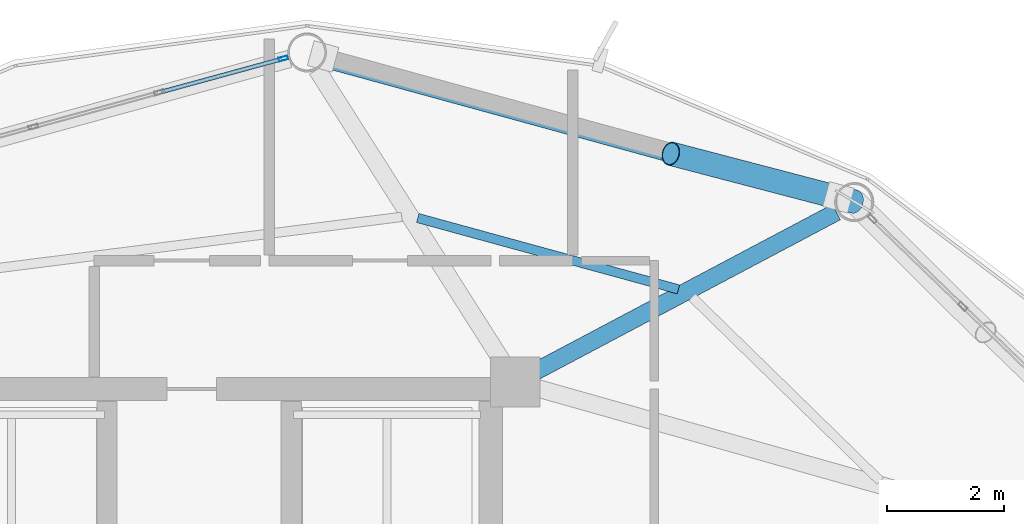
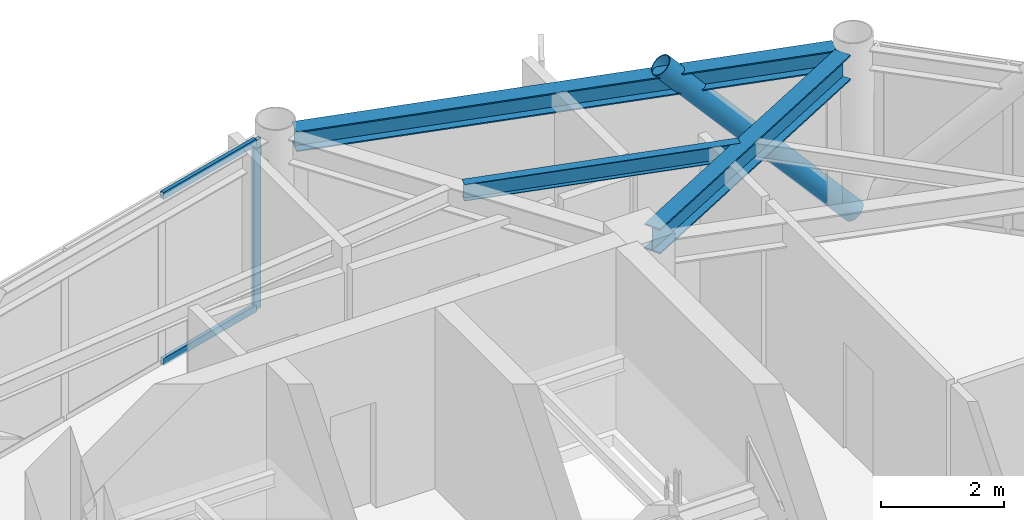
# One storey, part 20 of 28: 4 members, 3 beams, 1 element without a shape of its own.
"""IFC4 building model written with IfcOpenShell, lengths in metres."""

import ifcopenshell
import ifcopenshell.guid

model = None  # the IFC model being written
_history = None  # IfcOwnerHistory: only IFC2X3 demands one
_inside = {}  # id of a spatial element -> (the spatial element, [elements in it])
_under = {}  # id of a project, library or spatial element -> (it, [spatial elements below it])
_declared = {}  # id of a project -> (the project, [libraries it declares])
_typed = {}  # id of a type object -> (the type object, [elements of that type])
_made_of = {}  # id of a material, layer set ... -> (it, [elements and type objects made of it])


def new_model(schema):
    """Start an empty IFC model of exactly this schema.

    Asked for "IFC4X3", IfcOpenShell would pick the latest addendum, in which some entities
    have other attributes; the version numbers below select the first issue.
    IFC2X3 requires an IfcOwnerHistory on every rooted entity: one is made here for all.
    """
    global model, _history
    if schema == "IFC4X3":
        model = ifcopenshell.file(schema_version=(4, 3, 0, 0))
    else:
        model = ifcopenshell.file(schema=schema)
    _inside.clear()
    _under.clear()
    _declared.clear()
    _typed.clear()
    _made_of.clear()
    _history = None
    if model.schema == "IFC2X3":
        org = make("IfcOrganization", Name="unknown")
        user = make(
            "IfcPersonAndOrganization",
            ThePerson=make("IfcPerson", FamilyName="unknown"),
            TheOrganization=org,
        )
        app = make(
            "IfcApplication",
            ApplicationDeveloper=org,
            Version="unknown",
            ApplicationFullName="unknown",
            ApplicationIdentifier="unknown",
        )
        _history = make(
            "IfcOwnerHistory",
            OwningUser=user,
            OwningApplication=app,
            ChangeAction="ADDED",
            CreationDate=0,
        )
    return model


def make(cls, **values):
    """One entity of the class cls with the attributes given. An attribute that is None is left unset."""
    return model.create_entity(
        cls, **{name: value for name, value in values.items() if value is not None}
    )


def rooted(cls, **values):
    """An entity with a GlobalId (a new one), such as an element, a storey or a relation."""
    return make(cls, GlobalId=ifcopenshell.guid.new(), OwnerHistory=_history, **values)


def si_unit(unit_type, name, prefix=None):
    """IfcSIUnit, for example si_unit("LENGTHUNIT", "METRE", prefix="MILLI")."""
    return make("IfcSIUnit", UnitType=unit_type, Prefix=prefix, Name=name)


def assignment(units):
    """IfcUnitAssignment: the units of a project."""
    return None if units is None else make("IfcUnitAssignment", Units=units)


def point(xyz):
    """IfcCartesianPoint."""
    return None if xyz is None else make("IfcCartesianPoint", Coordinates=xyz)


def direction(xyz):
    """IfcDirection."""
    return None if xyz is None else make("IfcDirection", DirectionRatios=xyz)


def frame(location, z_axis=None, x_axis=None):
    """IfcAxis2Placement3D, a coordinate frame: its origin and axes. An axis left out is left unset."""
    return make(
        "IfcAxis2Placement3D",
        Location=point(location),
        Axis=direction(z_axis),
        RefDirection=direction(x_axis),
    )


def frame_2d(location, x_axis=None):
    """IfcAxis2Placement2D, a coordinate frame in the plane: its origin and x axis."""
    return make(
        "IfcAxis2Placement2D", Location=point(location), RefDirection=direction(x_axis)
    )


def origin():
    """The frame at (0, 0, 0) with its axes left unset."""
    return frame((0.0, 0.0, 0.0))


def origin_2d():
    """The frame at (0, 0) in the plane with its x axis left unset."""
    return frame_2d((0.0, 0.0))


def place(relative_to, where):
    """IfcLocalPlacement: puts the frame where relative to a parent placement (None: the world)."""
    return make(
        "IfcLocalPlacement", PlacementRelTo=relative_to, RelativePlacement=where
    )


def context(
    kind, dimensions, precision=None, world=None, true_north=None, identifier=None
):
    """IfcGeometricRepresentationContext, for example the 3D "Model" context."""
    return make(
        "IfcGeometricRepresentationContext",
        ContextIdentifier=identifier,
        ContextType=kind,
        CoordinateSpaceDimension=dimensions,
        Precision=precision,
        WorldCoordinateSystem=world,
        TrueNorth=true_north,
    )


def subcontext(parent, identifier, kind, view, scale=None):
    """IfcGeometricRepresentationSubContext, for example "Body" below "Model"."""
    return make(
        "IfcGeometricRepresentationSubContext",
        ContextIdentifier=identifier,
        ContextType=kind,
        ParentContext=parent,
        TargetScale=scale,
        TargetView=view,
    )


def project(units=None, contexts=None):
    """IfcProject with its units and contexts."""
    return rooted(
        "IfcProject",
        Name="project",
        RepresentationContexts=contexts,
        UnitsInContext=assignment(units),
    )


def spatial(cls, under=None, at=None, **own):
    """A site, building, storey or space (cls), placed at a placement, below another one or the project."""
    s = rooted(cls, ObjectPlacement=at, **own)
    if under is not None:
        _under.setdefault(under.id(), (under, []))[1].append(s)
    return s


def profile(cls, at=None, kind="AREA", **sizes):
    """A parametric profile (cls). Its sizes go by their IFC names, for example OverallWidth=200.0."""
    return make(cls, ProfileType=kind, Position=at, **sizes)


def hollow_rectangle(**sizes):
    """IfcRectangleHollowProfileDef."""
    return profile("IfcRectangleHollowProfileDef", **sizes)


def hollow_circle(**sizes):
    """IfcCircleHollowProfileDef."""
    return profile("IfcCircleHollowProfileDef", **sizes)


def i_section(**sizes):
    """IfcIShapeProfileDef."""
    return profile("IfcIShapeProfileDef", **sizes)


def extrude(swept, where, along, depth):
    """IfcExtrudedAreaSolid: the profile swept, set in the frame where, extruded along a direction by depth."""
    return make(
        "IfcExtrudedAreaSolid",
        SweptArea=swept,
        Position=where,
        ExtrudedDirection=direction(along),
        Depth=depth,
    )


def shape(context_of_items, identifier, shape_type, items):
    """IfcShapeRepresentation: the items that make up one representation, for example the "Body"."""
    return make(
        "IfcShapeRepresentation",
        ContextOfItems=context_of_items,
        RepresentationIdentifier=identifier,
        RepresentationType=shape_type,
        Items=items,
    )


def material(Name=None, Category=None):
    """IfcMaterial."""
    return make("IfcMaterial", Name=Name, Category=Category)


def layer(
    of_material, thickness, ventilated=None, Name=None, Category=None, Priority=None
):
    """IfcMaterialLayer: one layer of a wall or slab, of a material (None: an air gap)."""
    return make(
        "IfcMaterialLayer",
        Material=of_material,
        LayerThickness=thickness,
        IsVentilated=ventilated,
        Name=Name,
        Category=Category,
        Priority=Priority,
    )


def layer_set(layers, Name=None):
    """IfcMaterialLayerSet."""
    return make("IfcMaterialLayerSet", MaterialLayers=layers, LayerSetName=Name)


def material_profile(
    of_material, cross_section, Name=None, Category=None, Priority=None
):
    """IfcMaterialProfile: a cross section and its material."""
    return make(
        "IfcMaterialProfile",
        Name=Name,
        Material=of_material,
        Profile=cross_section,
        Priority=Priority,
        Category=Category,
    )


def profile_set(profiles, Name=None, composite=None):
    """IfcMaterialProfileSet."""
    return make(
        "IfcMaterialProfileSet",
        Name=Name,
        MaterialProfiles=profiles,
        CompositeProfile=composite,
    )


def made_of(thing, what):
    """Note that an element or type object is made of a material, layer set ...; save() writes the relation."""
    if what is not None:
        _made_of.setdefault(what.id(), (what, []))[1].append(thing)
    return thing


def type_object(cls, material=None, **own):
    """A type object (cls), such as IfcWallType, which elements share."""
    return made_of(rooted(cls, **own), material)


def element(
    cls,
    number,
    at=None,
    inside=None,
    cuts=None,
    type_object=None,
    material=None,
    context=None,
    identifier="Body",
    shape_type=None,
    held_by="IfcProductDefinitionShape",
    body=None,
    shapes=None,
    **own,
):
    """One element of the class cls, such as IfcWall. Its Tag is "e" and its number.

    at: its placement. inside: the storey or other place that contains it. cuts: it is an
    opening in that element (IfcRelVoidsElement). A single representation is given by context,
    identifier, shape_type and body (its items); several are given by shapes. held_by: the class
    of the entity that holds the representations. save() writes the other relations.
    """
    e = rooted(cls, Tag="e%d" % number, ObjectPlacement=at, **own)
    if body is not None:
        shapes = [shape(context, identifier, shape_type, body)]
    if shapes is not None:
        e.Representation = make(held_by, Representations=shapes)
    if inside is not None:
        _inside.setdefault(inside.id(), (inside, []))[1].append(e)
    if cuts is not None:
        rooted(
            "IfcRelVoidsElement", RelatingBuildingElement=cuts, RelatedOpeningElement=e
        )
    if type_object is not None:
        _typed.setdefault(type_object.id(), (type_object, []))[1].append(e)
    return made_of(e, material)


def aggregate(whole, parts):
    """IfcRelAggregates: a whole, such as a stair, and the parts it consists of."""
    return rooted("IfcRelAggregates", RelatingObject=whole, RelatedObjects=parts)


def save(model, path):
    """Write the relations noted so far, then the file.

    IfcRelAggregates (storeys below a building ...), IfcRelContainedInSpatialStructure (elements
    in a storey), IfcRelDefinesByType, IfcRelAssociatesMaterial and IfcRelDeclares: one each for
    every whole, place, type object, material and project.
    """
    for whole, parts in _under.values():
        aggregate(whole, parts)
    for where, things in _inside.values():
        rooted(
            "IfcRelContainedInSpatialStructure",
            RelatedElements=things,
            RelatingStructure=where,
        )
    for kind, things in _typed.values():
        rooted("IfcRelDefinesByType", RelatedObjects=things, RelatingType=kind)
    for what, things in _made_of.values():
        rooted("IfcRelAssociatesMaterial", RelatedObjects=things, RelatingMaterial=what)
    for by, libraries in _declared.values():
        rooted("IfcRelDeclares", RelatingContext=by, RelatedDefinitions=libraries)
    model.write(path)


model = new_model("IFC4")

# Units and contexts
model_context = context("Model", 3, precision=1e-05, world=origin(), true_north=direction((0.0, 1.0)))
body_context = subcontext(model_context, "Body", "Model", "MODEL_VIEW")
ifc_project = project(units=[si_unit("LENGTHUNIT", "METRE"), si_unit("AREAUNIT", "SQUARE_METRE"), si_unit("VOLUMEUNIT", "CUBIC_METRE"), si_unit("PLANEANGLEUNIT", "RADIAN"), si_unit("MASSUNIT", "GRAM", prefix="KILO")], contexts=[model_context])

# Site, building, storey
site_placement = place(None, origin())
site = spatial("IfcSite", under=ifc_project, at=site_placement, CompositionType="ELEMENT")
building_placement = place(site_placement, origin())
building = spatial("IfcBuilding", under=site, at=building_placement, Name="Varnakorn Sky Granary", CompositionType="ELEMENT")
storey_placement = place(building_placement, frame((0.0, 0.0, 225.60009765625)))
storey = spatial("IfcBuildingStorey", under=building, at=storey_placement, Name="L57", CompositionType="ELEMENT", Elevation=225.60009765625)

# Beams
ifc_material_1 = material(Name="Steel S355JR", Category="steel")
ifc_material_profile_1 = material_profile(ifc_material_1, i_section(OverallWidth=0.300048828125, OverallDepth=0.5, WebThickness=0.014404296875, FlangeThickness=0.028076171875, at=origin_2d()), Name="HE 500 B")
ifc_profile_set_1 = profile_set([ifc_material_profile_1], Name="Steel S355JR")
beam_type_1 = type_object("IfcBeamType", Name="BM-RAD-Z4", PredefinedType="BEAM", material=ifc_profile_set_1)
beam_1_placement = place(storey_placement, frame((8.77783203125, 12.8095703125, 3.10986328125), z_axis=(0.883703213726, 0.46804767925, 0.0), x_axis=(-0.46804767925, 0.883703213726, 0.0)))
element("IfcBeam", 1, at=beam_1_placement, inside=storey, type_object=beam_type_1, Name="Radial Floor Girder RG03 L57", PredefinedType="BEAM", context=body_context, shape_type="SweptSolid", body=[
    extrude(i_section(OverallWidth=0.300048828125, OverallDepth=0.5, WebThickness=0.014404296875, FlangeThickness=0.028076171875, at=origin_2d()), origin(), (0.0, 0.0, 1.0), 5.820068359375),
])
ifc_material_profile_2 = material_profile(ifc_material_1, i_section(OverallWidth=0.159912109375, OverallDepth=0.330078125, WebThickness=0.007568359375, FlangeThickness=0.011474609375, at=origin_2d()), Name="IPE 330")
ifc_profile_set_2 = profile_set([ifc_material_profile_2], Name="Steel S355JR")
beam_type_2 = type_object("IfcBeamType", Name="BM-SEC-Z4", PredefinedType="BEAM", material=ifc_profile_set_2)
beam_2_placement = place(storey_placement, frame((11.214599609375, 14.20849609375, 3.19482421875), z_axis=(-0.964509224434, 0.264049154482, 0.0), x_axis=(-0.264049154482, -0.964509224434, 0.0)))
element("IfcBeam", 2, at=beam_2_placement, inside=storey, type_object=beam_type_2, Name="Secondary Floor Chord Beam MSB03 L57", PredefinedType="BEAM", context=body_context, shape_type="SweptSolid", body=[
    extrude(i_section(OverallWidth=0.159912109375, OverallDepth=0.330078125, WebThickness=0.007568359375, FlangeThickness=0.011474609375, at=origin_2d()), origin(), (0.0, 0.0, 1.0), 4.63330078125),
])
ifc_material_profile_3 = material_profile(ifc_material_1, i_section(OverallWidth=0.300048828125, OverallDepth=0.39990234375, WebThickness=0.013427734375, FlangeThickness=0.02392578125, at=origin_2d()), Name="HE 400 B")
ifc_profile_set_3 = profile_set([ifc_material_profile_3], Name="Steel S355JR")
beam_type_3 = type_object("IfcBeamType", Name="BM-SPD-Z4", PredefinedType="SPANDREL", material=ifc_profile_set_3)
beam_3_placement = place(storey_placement, frame((13.895751953125, 15.764404296875, 3.159912109375), z_axis=(-0.964479816997, 0.264156549426, 0.0), x_axis=(-0.264156549426, -0.964479816997, 0.0)))
element("IfcBeam", 3, at=beam_3_placement, inside=storey, type_object=beam_type_3, Name="Perimeter Spandrel Ring Beam RB03 L57", PredefinedType="SPANDREL", context=body_context, shape_type="SweptSolid", body=[
    extrude(i_section(OverallWidth=0.300048828125, OverallDepth=0.39990234375, WebThickness=0.013427734375, FlangeThickness=0.02392578125, at=origin_2d()), origin(), (0.0, 0.0, 1.0), 9.06396484375),
])

# Curtain wall, members
ifc_material_2 = material(Name="Anodised Bronze Aluminium Alloy 6063-T6", Category="aluminium")
ifc_layer = layer(ifc_material_2, 0.169921875, Name="Anodised Bronze Aluminium Alloy 6063-T6")
ifc_layer_set = layer_set([ifc_layer], Name="Anodised Bronze Aluminium Alloy 6063-T6")
curtain_wall_type = type_object("IfcCurtainWallType", Name="CW-LAB-1", PredefinedType="USERDEFINED", material=ifc_layer_set)
curtain_wall_placement = place(storey_placement, origin())
curtain_wall = element("IfcCurtainWall", 4, at=curtain_wall_placement, inside=storey, type_object=curtain_wall_type, Name="Unitised Curtain Wall CW5 CW-L57-B04", ObjectType="CURTAIN WALL", PredefinedType="USERDEFINED")
ifc_material_profile_4 = material_profile(ifc_material_2, hollow_rectangle(XDim=0.06494140625, YDim=0.159912109375, WallThickness=0.00341796875, at=origin_2d()), Name="ALU MULL 65x160")
ifc_profile_set_4 = profile_set([ifc_material_profile_4], Name="Anodised Bronze Aluminium Alloy 6063-T6")
member_type_1 = type_object("IfcMemberType", Name="CW-LAB-1-MULL", PredefinedType="MULLION", material=ifc_profile_set_4)
member_1_placement = place(storey_placement, frame((4.4423828125, 18.16455078125, 0.0), z_axis=(0.0, 0.0, 1.0), x_axis=(-0.263727295767, 0.964597280458, 0.0)))
member_1 = element("IfcMember", 5, at=member_1_placement, type_object=member_type_1, Name="CW5 mullion 5", PredefinedType="MULLION", context=body_context, shape_type="SweptSolid", body=[
    extrude(hollow_rectangle(XDim=0.06494140625, YDim=0.159912109375, WallThickness=0.00341796875, at=origin_2d()), origin(), (0.0, 0.0, 1.0), 3.35986328125),
])
ifc_material_profile_5 = material_profile(ifc_material_2, hollow_rectangle(XDim=0.070068359375, YDim=0.139892578125, WallThickness=0.00341796875, at=origin_2d()), Name="ALU TRAN 70x140")
ifc_profile_set_5 = profile_set([ifc_material_profile_5], Name="Anodised Bronze Aluminium Alloy 6063-T6")
member_type_2 = type_object("IfcMemberType", Name="CW-LAB-1-TRAN", PredefinedType="USERDEFINED", material=ifc_profile_set_5)
member_2_placement = place(storey_placement, frame((2.347412109375, 17.591796875, 0.034912109375), z_axis=(0.964600365591, 0.263716011461, 0.0), x_axis=(-0.263716011461, 0.964600365591, 0.0)))
member_2 = element("IfcMember", 6, at=member_2_placement, type_object=member_type_2, Name="CW5 transom 4.1", ObjectType="TRANSOM", PredefinedType="USERDEFINED", context=body_context, shape_type="SweptSolid", body=[
    extrude(hollow_rectangle(XDim=0.070068359375, YDim=0.139892578125, WallThickness=0.00341796875, at=origin_2d()), origin(), (0.0, 0.0, 1.0), 2.139404296875),
])
member_3_placement = place(storey_placement, frame((2.347412109375, 17.591796875, 3.324951171875), z_axis=(0.964600365591, 0.263716011461, 0.0), x_axis=(-0.263716011461, 0.964600365591, 0.0)))
member_3 = element("IfcMember", 7, at=member_3_placement, type_object=member_type_2, Name="CW5 transom 4.2", ObjectType="TRANSOM", PredefinedType="USERDEFINED", context=body_context, shape_type="SweptSolid", body=[
    extrude(hollow_rectangle(XDim=0.070068359375, YDim=0.139892578125, WallThickness=0.00341796875, at=origin_2d()), origin(), (0.0, 0.0, 1.0), 2.139404296875),
])
aggregate(curtain_wall, [member_1, member_2, member_3])

# Member
ifc_material_3 = material(Name="Steel S460M", Category="steel")
ifc_material_profile_6 = material_profile(ifc_material_3, hollow_circle(Radius=0.203125, WallThickness=0.01611328125, at=origin_2d()), Name="CHS 406.4x16")
ifc_profile_set_6 = profile_set([ifc_material_profile_6], Name="Steel S460M")
member_type_3 = type_object("IfcMemberType", Name="MB-DIAG-T4", PredefinedType="BRACE", material=ifc_profile_set_6)
member_4_placement = place(storey_placement, frame((14.2333984375, 15.710693359375, 0.0), z_axis=(-0.660009391613, 0.172623349093, 0.731155785268), x_axis=(-0.253035301521, -0.96745704617, 0.0)))
element("IfcMember", 8, at=member_4_placement, inside=storey, type_object=member_type_3, Name="Perimeter CHS Diagrid Brace DG03 L57", PredefinedType="BRACE", context=body_context, shape_type="SweptSolid", body=[
    extrude(hollow_circle(Radius=0.203125, WallThickness=0.01611328125, at=origin_2d()), origin(), (0.0, 0.0, 1.0), 4.773193359375),
])

save(model, "model.ifc")
